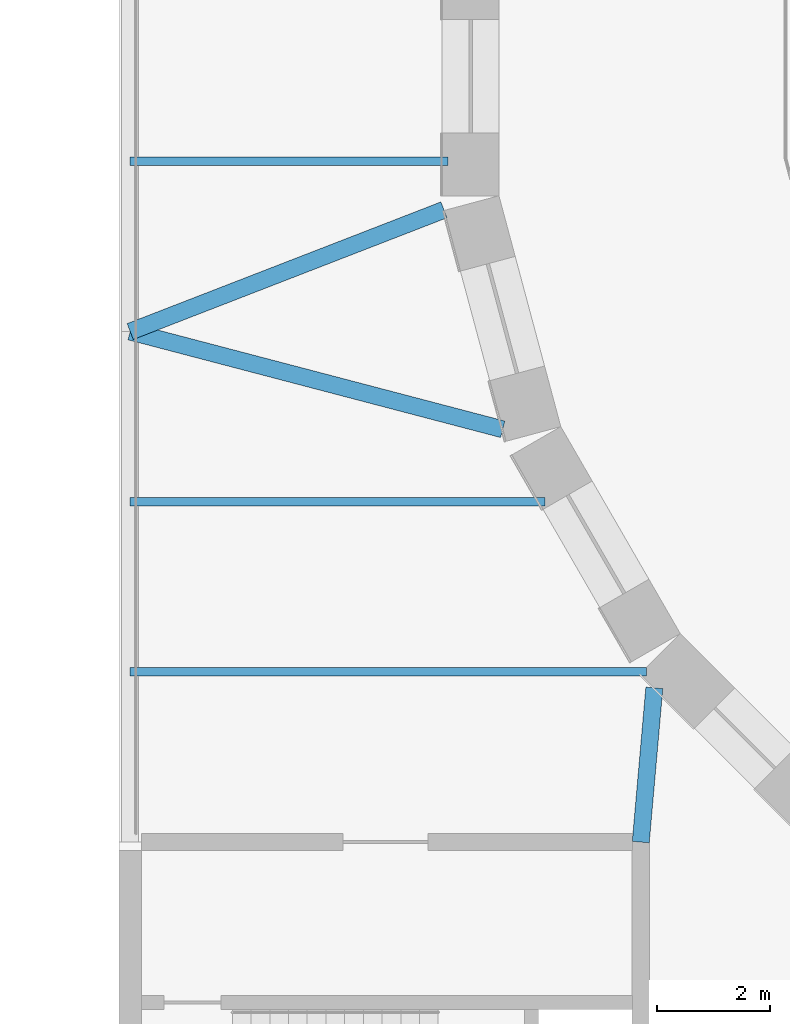
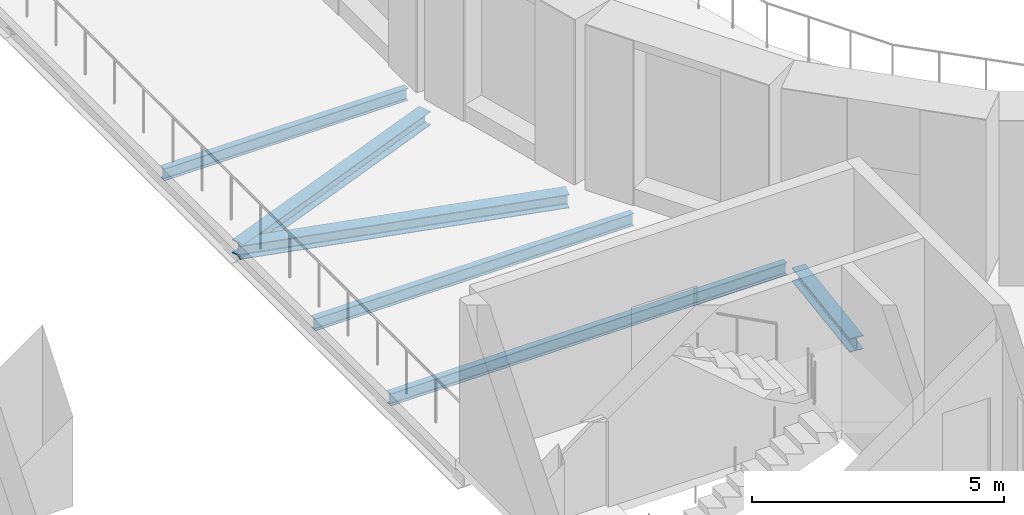
# One storey, part 44 of 154: 6 beams.
"""IFC4 building model written with IfcOpenShell, lengths in metres."""

from ifc_helpers import new_model, si_unit, direction, frame, origin, origin_2d, place, context, subcontext, project, spatial, i_section, extrude, material, material_profile, profile_set, type_object, element, save


model = new_model("IFC4")

# Units and contexts
model_context = context("Model", 3, precision=1e-05, world=origin(), true_north=direction((0.0, 1.0)))
body_context = subcontext(model_context, "Body", "Model", "MODEL_VIEW")
ifc_project = project(units=[si_unit("LENGTHUNIT", "METRE"), si_unit("AREAUNIT", "SQUARE_METRE"), si_unit("VOLUMEUNIT", "CUBIC_METRE"), si_unit("PLANEANGLEUNIT", "RADIAN"), si_unit("MASSUNIT", "GRAM", prefix="KILO")], contexts=[model_context])

# Site, building, storey
site_placement = place(None, origin())
site = spatial("IfcSite", under=ifc_project, at=site_placement, CompositionType="ELEMENT")
building_placement = place(site_placement, origin())
building = spatial("IfcBuilding", under=site, at=building_placement, Name="Golden Quay Civic Hall", CompositionType="ELEMENT")
storey_placement = place(building_placement, frame((0.0, 0.0, 14.39990234375)))
storey = spatial("IfcBuildingStorey", under=building, at=storey_placement, Name="L03", CompositionType="ELEMENT", Elevation=14.39990234375)

# Beams
ifc_material_1 = material(Name="Steel S355", Category="steel")
ifc_material_profile_1 = material_profile(ifc_material_1, i_section(OverallWidth=0.300048828125, OverallDepth=0.330078125, WebThickness=0.009521484375, FlangeThickness=0.0166015625, FilletRadius=0.027099609375, at=origin_2d()), Name="HEA 340")
ifc_profile_set_1 = profile_set([ifc_material_profile_1], Name="Steel S355")
beam_type_1 = type_object("IfcBeamType", Name="Steel girder HEA 340", PredefinedType="BEAM", material=ifc_profile_set_1)
beam_1_placement = place(storey_placement, frame((63.0, 81.0, -0.414794921875), z_axis=(0.932300148585, 0.361685544291, 0.0), x_axis=(-0.361685544291, 0.932300148585, 0.0)))
element("IfcBeam", 1, at=beam_1_placement, inside=storey, type_object=beam_type_1, Name="Radial girder 9", PredefinedType="BEAM", context=body_context, shape_type="SweptSolid", body=[
    extrude(i_section(OverallWidth=0.300048828125, OverallDepth=0.330078125, WebThickness=0.009521484375, FlangeThickness=0.0166015625, FilletRadius=0.027099609375, at=origin_2d()), origin(), (0.0, 0.0, 1.0), 5.9326171875),
])
beam_2_placement = place(storey_placement, frame((63.0, 81.0, -0.414794921875), z_axis=(0.967279624391, -0.253712688365, 0.0), x_axis=(0.253712688365, 0.967279624391, 0.0)))
element("IfcBeam", 2, at=beam_2_placement, inside=storey, type_object=beam_type_1, Name="Radial girder 10", PredefinedType="BEAM", context=body_context, shape_type="SweptSolid", body=[
    extrude(i_section(OverallWidth=0.300048828125, OverallDepth=0.330078125, WebThickness=0.009521484375, FlangeThickness=0.0166015625, FilletRadius=0.027099609375, at=origin_2d()), origin(), (0.0, 0.0, 1.0), 6.789794921875),
])
beam_3_placement = place(storey_placement, frame((72.0, 72.0, -0.414794921875), z_axis=(0.087745016727, 0.996142967671, 0.0), x_axis=(-0.996142967671, 0.087745016727, 0.0)))
element("IfcBeam", 3, at=beam_3_placement, inside=storey, type_object=beam_type_1, Name="Radial girder 17", PredefinedType="BEAM", context=body_context, shape_type="SweptSolid", body=[
    extrude(i_section(OverallWidth=0.300048828125, OverallDepth=0.330078125, WebThickness=0.009521484375, FlangeThickness=0.0166015625, FilletRadius=0.027099609375, at=origin_2d()), origin(), (0.0, 0.0, 1.0), 2.7294921875),
])
ifc_material_2 = material(Name="Steel S355", Category="steel")
ifc_material_profile_2 = material_profile(ifc_material_2, i_section(OverallWidth=0.14990234375, OverallDepth=0.300048828125, WebThickness=0.007080078125, FlangeThickness=0.0107421875, FilletRadius=0.014892578125, at=origin_2d()), Name="IPE 300")
ifc_profile_set_2 = profile_set([ifc_material_profile_2], Name="Steel S355")
beam_type_2 = type_object("IfcBeamType", Name="Steel joist IPE 300", PredefinedType="JOIST", material=ifc_profile_set_2)
beam_4_placement = place(storey_placement, frame((63.0, 75.0, -0.39990234375), z_axis=(1.0, 0.0, 0.0), x_axis=(0.0, 1.0, 0.0)))
element("IfcBeam", 4, at=beam_4_placement, inside=storey, type_object=beam_type_2, Name="Floor joist 13", PredefinedType="JOIST", context=body_context, shape_type="SweptSolid", body=[
    extrude(i_section(OverallWidth=0.14990234375, OverallDepth=0.300048828125, WebThickness=0.007080078125, FlangeThickness=0.0107421875, FilletRadius=0.014892578125, at=origin_2d()), origin(), (0.0, 0.0, 1.0), 9.099853515625),
])
beam_5_placement = place(storey_placement, frame((63.0, 78.0, -0.39990234375), z_axis=(1.0, 0.0, 0.0), x_axis=(0.0, 1.0, 0.0)))
element("IfcBeam", 5, at=beam_5_placement, inside=storey, type_object=beam_type_2, Name="Floor joist 14", PredefinedType="JOIST", context=body_context, shape_type="SweptSolid", body=[
    extrude(i_section(OverallWidth=0.14990234375, OverallDepth=0.300048828125, WebThickness=0.007080078125, FlangeThickness=0.0107421875, FilletRadius=0.014892578125, at=origin_2d()), origin(), (0.0, 0.0, 1.0), 7.315673828125),
])
beam_6_placement = place(storey_placement, frame((63.0, 84.0, -0.39990234375), z_axis=(1.0, 0.0, 0.0), x_axis=(0.0, 1.0, 0.0)))
element("IfcBeam", 6, at=beam_6_placement, inside=storey, type_object=beam_type_2, Name="Floor joist 15", PredefinedType="JOIST", context=body_context, shape_type="SweptSolid", body=[
    extrude(i_section(OverallWidth=0.14990234375, OverallDepth=0.300048828125, WebThickness=0.007080078125, FlangeThickness=0.0107421875, FilletRadius=0.014892578125, at=origin_2d()), origin(), (0.0, 0.0, 1.0), 5.60009765625),
])

save(model, "model.ifc")
